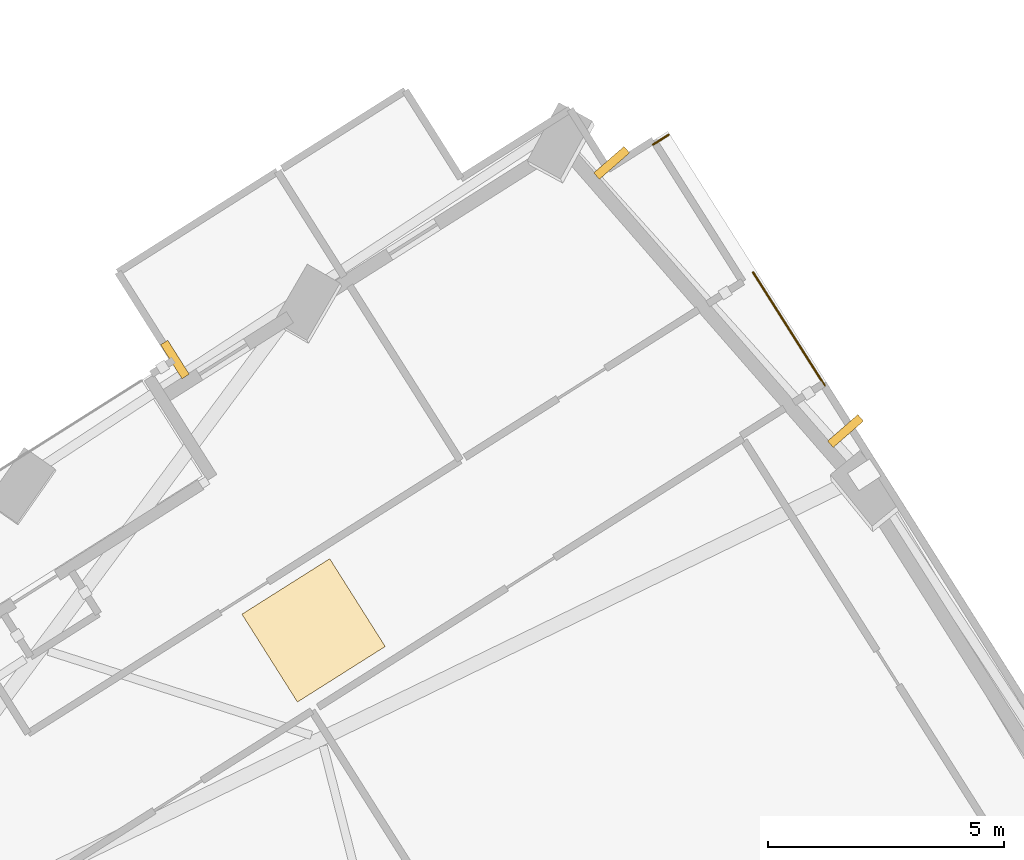
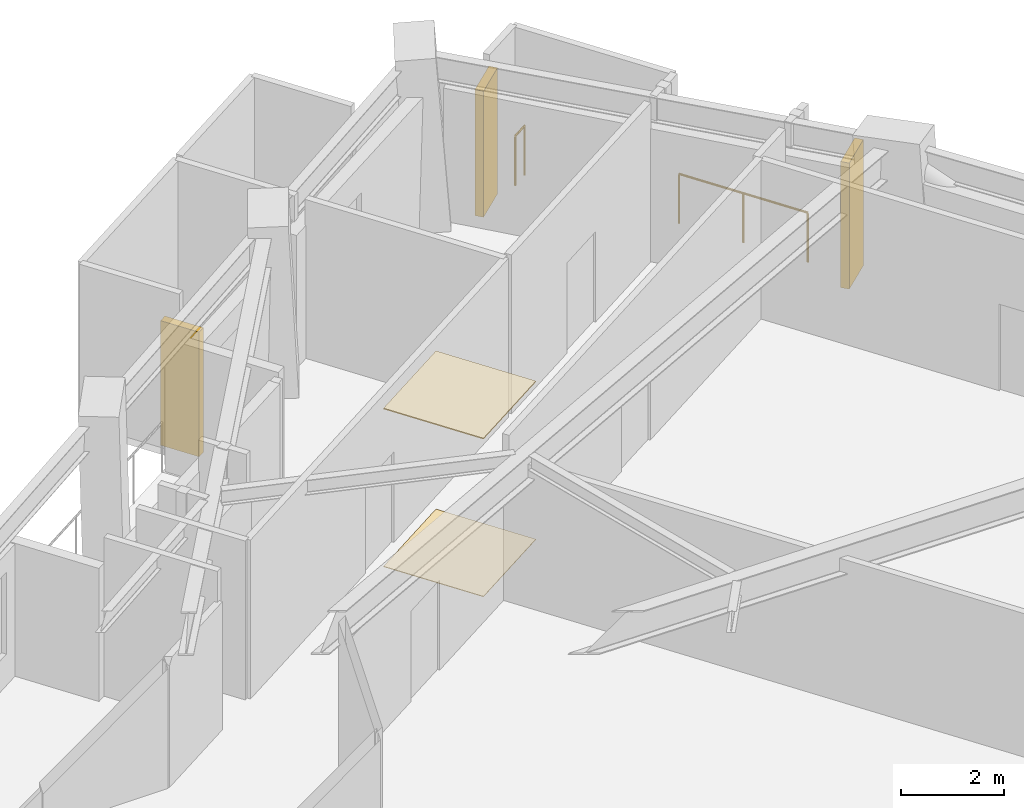
# One storey, part 14 of 14: 3 shading devices, 2 coverings, 2 railings.
"""IFC4 building model written with IfcOpenShell, lengths in metres."""

from ifc_helpers import new_model, si_unit, direction, frame, origin, origin_2d, place, context, subcontext, project, spatial, rectangle, circle, extrude, material, layer, layer_set, type_object, element, save


model = new_model("IFC4")

# Units and contexts
model_context = context("Model", 3, precision=1e-05, world=origin(), true_north=direction((0.0, 1.0)))
body_context = subcontext(model_context, "Body", "Model", "MODEL_VIEW")
ifc_project = project(units=[si_unit("LENGTHUNIT", "METRE"), si_unit("AREAUNIT", "SQUARE_METRE"), si_unit("VOLUMEUNIT", "CUBIC_METRE"), si_unit("PLANEANGLEUNIT", "RADIAN"), si_unit("MASSUNIT", "GRAM", prefix="KILO")], contexts=[model_context])

# Site, building, storey
site_placement = place(None, origin())
site = spatial("IfcSite", under=ifc_project, at=site_placement, CompositionType="ELEMENT")
building_placement = place(site_placement, origin())
building = spatial("IfcBuilding", under=site, at=building_placement, Name="Gaonmaruhae Medical Tower", CompositionType="ELEMENT")
storey_placement = place(building_placement, frame((0.0, 0.0, 161.800048828125)))
storey = spatial("IfcBuildingStorey", under=building, at=storey_placement, Name="L38", CompositionType="ELEMENT", Elevation=161.800048828125)

# Coverings
ifc_material_1 = material(Name="Acoustic mineral ceiling tile", Category="finish")
ifc_layer_1 = layer(ifc_material_1, 0.02490234375)
ifc_layer_set_1 = layer_set([ifc_layer_1], Name="Acoustic mineral ceiling tile")
covering_type_1 = type_object("IfcCoveringType", Name="CLG-01 Antimicrobial Acoustic Mineral Ceiling", PredefinedType="CEILING", material=ifc_layer_set_1)
covering_1_placement = place(storey_placement, frame((46.9345703125, 24.68212890625, 3.7548828125), z_axis=(0.0, 0.0, 1.0), x_axis=(0.845261833222, 0.53435234939, 0.0)))
element("IfcCovering", 1, at=covering_1_placement, inside=storey, type_object=covering_type_1, Name="L38 Clinical Corridor Acoustic Ceiling", PredefinedType="CEILING", context=body_context, shape_type="SweptSolid", body=[
    extrude(rectangle(XDim=2.199951171875, YDim=2.199951171875, at=origin_2d()), origin(), (0.0, 0.0, 1.0), 0.02490234375),
])
ifc_material_2 = material(Name="Seamless clinical vinyl flooring", Category="finish")
ifc_layer_2 = layer(ifc_material_2, 0.014892578125)
ifc_layer_set_2 = layer_set([ifc_layer_2], Name="Seamless clinical vinyl flooring")
covering_type_2 = type_object("IfcCoveringType", Name="FLR-01 Seamless Clinical Antistatic Vinyl Flooring", PredefinedType="FLOORING", material=ifc_layer_set_2)
covering_2_placement = place(storey_placement, frame((46.9345703125, 24.68212890625, 0.00048828125), z_axis=(0.0, 0.0, 1.0), x_axis=(0.845261833222, 0.53435234939, 0.0)))
element("IfcCovering", 2, at=covering_2_placement, inside=storey, type_object=covering_type_2, Name="L38 Clinical Corridor Vinyl Flooring", PredefinedType="FLOORING", context=body_context, shape_type="SweptSolid", body=[
    extrude(rectangle(XDim=2.199951171875, YDim=2.199951171875, at=origin_2d()), origin(), (0.0, 0.0, 1.0), 0.014892578125),
])

# Railings
ifc_material_3 = material(Name="Stainless steel 316L and laminated safety glass", Category="steel")
ifc_layer_3 = layer(ifc_material_3, 0.080078125)
ifc_layer_set_3 = layer_set([ifc_layer_3], Name="Stainless steel 316L and laminated safety glass")
railing_type = type_object("IfcRailingType", Name="GD-120 Outdoor Terrace Safety Glass & Steel Balustrade", PredefinedType="BALUSTRADE", material=ifc_layer_set_3)
railing_1_placement = place(storey_placement, frame((54.127197265625, 34.972900390625, 0.0)))
element("IfcRailing", 3, at=railing_1_placement, inside=storey, type_object=railing_type, Name="L38 Perimeter Slab Edge Safety Balustrade 01", PredefinedType="BALUSTRADE", context=body_context, shape_type="SweptSolid", body=[
    extrude(circle(Radius=0.02392578125, at=origin_2d()), frame((0.0, 0.0, 1.17578125), z_axis=(0.845267623798, 0.534343189494, 0.0), x_axis=(-0.534343189494, 0.845267623798, 0.0)), (0.0, 0.0, 1.0), 0.393310546875),
    extrude(circle(Radius=0.02099609375, at=origin_2d()), origin(), (0.0, 0.0, 1.0), 1.15185546875),
    extrude(circle(Radius=0.02099609375, at=origin_2d()), frame((0.33251953125, 0.210205078125, 0.0)), (0.0, 0.0, 1.0), 1.15185546875),
])
railing_2_placement = place(storey_placement, frame((56.24560546875, 32.264404296875, 0.0)))
element("IfcRailing", 4, at=railing_2_placement, inside=storey, type_object=railing_type, Name="L38 Perimeter Slab Edge Safety Balustrade 02", PredefinedType="BALUSTRADE", context=body_context, shape_type="SweptSolid", body=[
    extrude(circle(Radius=0.02392578125, at=origin_2d()), frame((0.0, 0.0, 1.17578125), z_axis=(0.534352122575, -0.845261976608, 0.0), x_axis=(0.845261976608, 0.534352122575, 0.0)), (0.0, 0.0, 1.0), 2.838623046875),
    extrude(circle(Radius=0.02099609375, at=origin_2d()), origin(), (0.0, 0.0, 1.0), 1.15185546875),
    extrude(circle(Radius=0.02099609375, at=origin_2d()), frame((0.75830078125, -1.19970703125, 0.0)), (0.0, 0.0, 1.0), 1.15185546875),
    extrude(circle(Radius=0.02099609375, at=origin_2d()), frame((1.516845703125, -2.3994140625, 0.0)), (0.0, 0.0, 1.0), 1.15185546875),
])

# Shading devices
ifc_material_4 = material(Name="Pigmented coral precast concrete C45/55", Category="concrete")
shading_device_type = type_object("IfcShadingDeviceType", Name="SD-FIN1 Tower Vertical Coral Precast Shading Fin", PredefinedType="USERDEFINED", material=ifc_material_4)
for number, where, z_axis, x_axis, name in (
    (5, (53.2490234375, 34.585205078125, 0.08251953125), (0.0, 0.0, 1.0), (0.657243714159, -0.753678114448, 0.0), "L38 Vertical Coral Precast Shading Fin E02"),
    (6, (58.202880859375, 28.904296875, 0.08251953125), (0.0, 0.0, 1.0), (0.657243714159, -0.753678114448, 0.0), "L38 Vertical Coral Precast Shading Fin E02B"),
):
    element("IfcShadingDevice", number, at=place(storey_placement, frame(where, z_axis=z_axis, x_axis=x_axis)), inside=storey, type_object=shading_device_type, Name=name, ObjectType="FIN", PredefinedType="USERDEFINED", context=body_context, shape_type="SweptSolid", body=[
        extrude(rectangle(XDim=0.179931640625, YDim=0.85009765625, at=origin_2d()), origin(), (0.0, 0.0, 1.0), 3.0),
    ])
shading_device_placement = place(storey_placement, frame((43.99658203125, 30.420166015625, 0.0400390625), z_axis=(0.0, 0.0, 1.0), x_axis=(0.845271159301, 0.534337596706, 0.0)))
element("IfcShadingDevice", 7, at=shading_device_placement, inside=storey, type_object=shading_device_type, Name="L38 Vertical Coral Precast Shading Fin EN01", ObjectType="FIN", PredefinedType="USERDEFINED", context=body_context, shape_type="SweptSolid", body=[
    extrude(rectangle(XDim=0.179931640625, YDim=0.85009765625, at=origin_2d()), origin(), (0.0, 0.0, 1.0), 2.965087890625),
])

save(model, "model.ifc")
